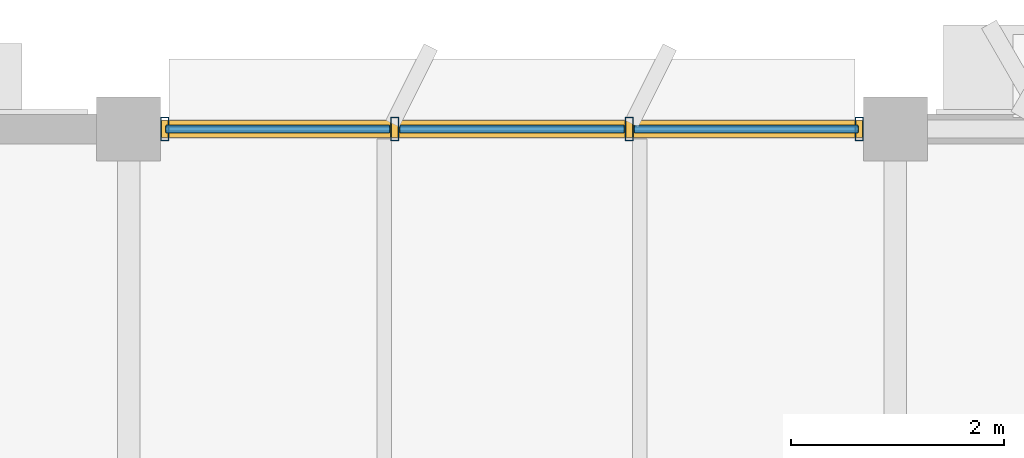
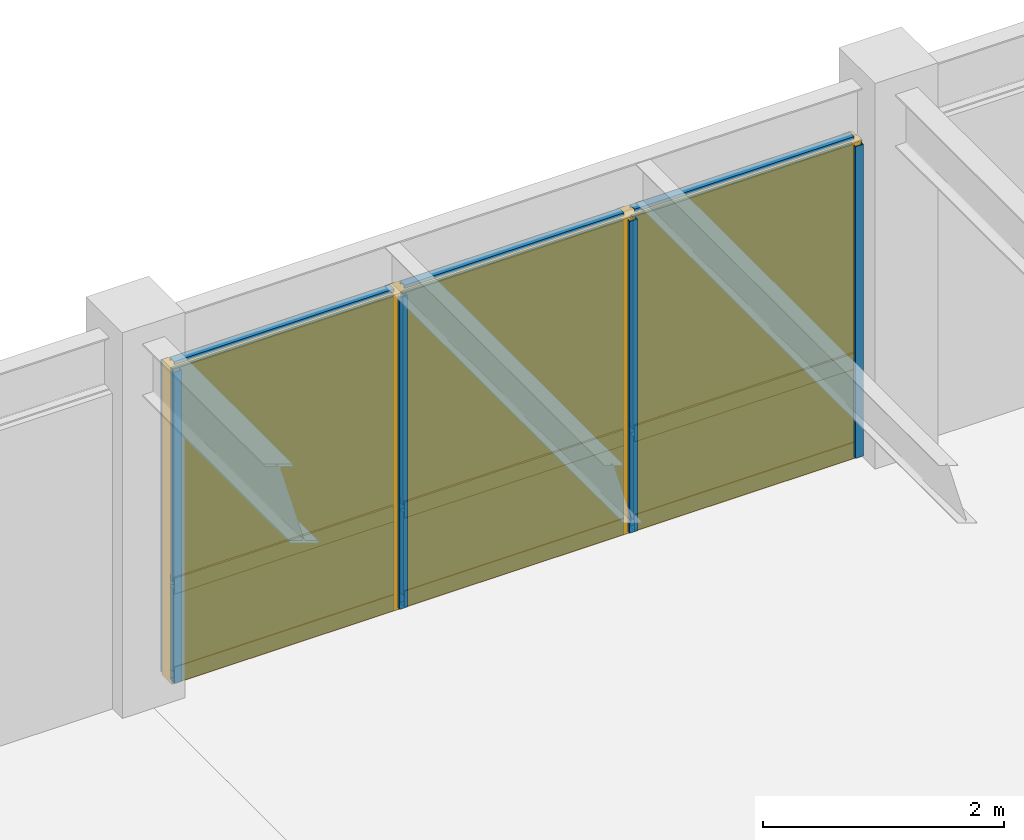
# One storey, part 29 of 35: 13 members, 6 plates, 1 curtain wall.
"""IFC4 building model written with IfcOpenShell, lengths in metres."""

from ifc_helpers import new_model, si_unit, direction, frame, origin, origin_2d, place, context, subcontext, project, spatial, rectangle, hollow_rectangle, extrude, material, layer, layer_set, material_profile, profile_set, type_object, element, aggregate, save


model = new_model("IFC4")

# Units and contexts
model_context = context("Model", 3, precision=1e-05, world=origin(), true_north=direction((0.0, 1.0)))
body_context = subcontext(model_context, "Body", "Model", "MODEL_VIEW")
ifc_project = project(units=[si_unit("LENGTHUNIT", "METRE"), si_unit("AREAUNIT", "SQUARE_METRE"), si_unit("VOLUMEUNIT", "CUBIC_METRE"), si_unit("PLANEANGLEUNIT", "RADIAN"), si_unit("MASSUNIT", "GRAM", prefix="KILO")], contexts=[model_context])

# Member
ifc_material_1 = material(Name="Anodized Aluminium 6063-T6", Category="aluminium")
ifc_material_profile_1 = material_profile(ifc_material_1, hollow_rectangle(XDim=0.074951171875, YDim=0.219970703125, WallThickness=0.0048828125, at=origin_2d()), Name="ALU 75x220x5")
ifc_profile_set_1 = profile_set([ifc_material_profile_1], Name="Anodized Aluminium 6063-T6")
member_type_1 = type_object("IfcMemberType", Name="CWM-75X180", PredefinedType="MULLION", material=ifc_profile_set_1)
site_placement = place(None, origin())
building_placement = place(site_placement, origin())
storey_placement = place(building_placement, frame((0.0, 0.0, 18.0)))
member_1_placement = place(storey_placement, frame((79.5400390625, 115.199951171875, 0.02001953125), z_axis=(0.0, 0.0, 1.0), x_axis=(1.0, 0.0, 0.0)))
member_1 = element("IfcMember", 1, at=member_1_placement, type_object=member_type_1, Name="Curtain wall mullion CW-L05-11-15-N-00", PredefinedType="MULLION", context=body_context, shape_type="SweptSolid", body=[
    extrude(hollow_rectangle(XDim=0.074951171875, YDim=0.219970703125, WallThickness=0.0048828125, at=origin_2d()), origin(), (0.0, 0.0, 1.0), 3.152099609375),
])

member_2_placement = place(storey_placement, frame((81.699951171875, 115.199951171875, 0.02001953125), z_axis=(0.0, 0.0, 1.0), x_axis=(1.0, 0.0, 0.0)))
member_2 = element("IfcMember", 2, at=member_2_placement, type_object=member_type_1, Name="Curtain wall mullion CW-L05-11-15-N-01", PredefinedType="MULLION", context=body_context, shape_type="SweptSolid", body=[
    extrude(hollow_rectangle(XDim=0.074951171875, YDim=0.219970703125, WallThickness=0.0048828125, at=origin_2d()), origin(), (0.0, 0.0, 1.0), 3.152099609375),
])

member_3_placement = place(storey_placement, frame((83.89990234375, 115.199951171875, 0.02001953125), z_axis=(0.0, 0.0, 1.0), x_axis=(1.0, 0.0, 0.0)))
member_3 = element("IfcMember", 3, at=member_3_placement, type_object=member_type_1, Name="Curtain wall mullion CW-L05-11-15-N-02", PredefinedType="MULLION", context=body_context, shape_type="SweptSolid", body=[
    extrude(hollow_rectangle(XDim=0.074951171875, YDim=0.219970703125, WallThickness=0.0048828125, at=origin_2d()), origin(), (0.0, 0.0, 1.0), 3.152099609375),
])

member_4_placement = place(storey_placement, frame((86.06005859375, 115.199951171875, 0.02001953125), z_axis=(0.0, 0.0, 1.0), x_axis=(1.0, 0.0, 0.0)))
member_4 = element("IfcMember", 4, at=member_4_placement, type_object=member_type_1, Name="Curtain wall mullion CW-L05-11-15-N-03", PredefinedType="MULLION", context=body_context, shape_type="SweptSolid", body=[
    extrude(hollow_rectangle(XDim=0.074951171875, YDim=0.219970703125, WallThickness=0.0048828125, at=origin_2d()), origin(), (0.0, 0.0, 1.0), 3.152099609375),
])

ifc_material_profile_2 = material_profile(ifc_material_1, hollow_rectangle(XDim=0.074951171875, YDim=0.159912109375, WallThickness=0.00390625, at=origin_2d()), Name="ALU 75x160x4")
ifc_profile_set_2 = profile_set([ifc_material_profile_2], Name="Anodized Aluminium 6063-T6")
member_type_2 = type_object("IfcMemberType", Name="CWT-75X150", PredefinedType="USERDEFINED", material=ifc_profile_set_2)
member_5_placement = place(storey_placement, frame((79.550048828125, 115.199951171875, 0.050048828125), z_axis=(1.0, 0.0, 0.0), x_axis=(0.0, 1.0, 0.0)))
member_5 = element("IfcMember", 5, at=member_5_placement, type_object=member_type_2, Name="Curtain wall transom CW-L05-11-15-N-1.01", ObjectType="TRANSOM", PredefinedType="USERDEFINED", context=body_context, shape_type="SweptSolid", body=[
    extrude(hollow_rectangle(XDim=0.074951171875, YDim=0.159912109375, WallThickness=0.00390625, at=origin_2d()), origin(), (0.0, 0.0, 1.0), 2.099853515625),
])

member_6_placement = place(storey_placement, frame((81.75, 115.199951171875, 0.050048828125), z_axis=(1.0, 0.0, 0.0), x_axis=(0.0, 1.0, 0.0)))
member_6 = element("IfcMember", 6, at=member_6_placement, type_object=member_type_2, Name="Curtain wall transom CW-L05-11-15-N-1.02", ObjectType="TRANSOM", PredefinedType="USERDEFINED", context=body_context, shape_type="SweptSolid", body=[
    extrude(hollow_rectangle(XDim=0.074951171875, YDim=0.159912109375, WallThickness=0.00390625, at=origin_2d()), origin(), (0.0, 0.0, 1.0), 2.10009765625),
])

member_7_placement = place(storey_placement, frame((83.949951171875, 115.199951171875, 0.050048828125), z_axis=(1.0, 0.0, 0.0), x_axis=(0.0, 1.0, 0.0)))
member_7 = element("IfcMember", 7, at=member_7_placement, type_object=member_type_2, Name="Curtain wall transom CW-L05-11-15-N-1.03", ObjectType="TRANSOM", PredefinedType="USERDEFINED", context=body_context, shape_type="SweptSolid", body=[
    extrude(hollow_rectangle(XDim=0.074951171875, YDim=0.159912109375, WallThickness=0.00390625, at=origin_2d()), origin(), (0.0, 0.0, 1.0), 2.10009765625),
])

member_8_placement = place(storey_placement, frame((79.550048828125, 115.199951171875, 0.949951171875), z_axis=(1.0, 0.0, 0.0), x_axis=(0.0, 1.0, 0.0)))
member_8 = element("IfcMember", 8, at=member_8_placement, type_object=member_type_2, Name="Curtain wall transom CW-L05-11-15-N-2.01", ObjectType="TRANSOM", PredefinedType="USERDEFINED", context=body_context, shape_type="SweptSolid", body=[
    extrude(hollow_rectangle(XDim=0.074951171875, YDim=0.159912109375, WallThickness=0.00390625, at=origin_2d()), origin(), (0.0, 0.0, 1.0), 2.099853515625),
])

member_9_placement = place(storey_placement, frame((81.75, 115.199951171875, 0.949951171875), z_axis=(1.0, 0.0, 0.0), x_axis=(0.0, 1.0, 0.0)))
member_9 = element("IfcMember", 9, at=member_9_placement, type_object=member_type_2, Name="Curtain wall transom CW-L05-11-15-N-2.02", ObjectType="TRANSOM", PredefinedType="USERDEFINED", context=body_context, shape_type="SweptSolid", body=[
    extrude(hollow_rectangle(XDim=0.074951171875, YDim=0.159912109375, WallThickness=0.00390625, at=origin_2d()), origin(), (0.0, 0.0, 1.0), 2.10009765625),
])

member_10_placement = place(storey_placement, frame((83.949951171875, 115.199951171875, 0.949951171875), z_axis=(1.0, 0.0, 0.0), x_axis=(0.0, 1.0, 0.0)))
member_10 = element("IfcMember", 10, at=member_10_placement, type_object=member_type_2, Name="Curtain wall transom CW-L05-11-15-N-2.03", ObjectType="TRANSOM", PredefinedType="USERDEFINED", context=body_context, shape_type="SweptSolid", body=[
    extrude(hollow_rectangle(XDim=0.074951171875, YDim=0.159912109375, WallThickness=0.00390625, at=origin_2d()), origin(), (0.0, 0.0, 1.0), 2.10009765625),
])

member_11_placement = place(storey_placement, frame((79.550048828125, 115.199951171875, 3.14208984375), z_axis=(1.0, 0.0, 0.0), x_axis=(0.0, 1.0, 0.0)))
member_11 = element("IfcMember", 11, at=member_11_placement, type_object=member_type_2, Name="Curtain wall transom CW-L05-11-15-N-3.01", ObjectType="TRANSOM", PredefinedType="USERDEFINED", context=body_context, shape_type="SweptSolid", body=[
    extrude(hollow_rectangle(XDim=0.074951171875, YDim=0.159912109375, WallThickness=0.00390625, at=origin_2d()), origin(), (0.0, 0.0, 1.0), 2.099853515625),
])

member_12_placement = place(storey_placement, frame((81.75, 115.199951171875, 3.14208984375), z_axis=(1.0, 0.0, 0.0), x_axis=(0.0, 1.0, 0.0)))
member_12 = element("IfcMember", 12, at=member_12_placement, type_object=member_type_2, Name="Curtain wall transom CW-L05-11-15-N-3.02", ObjectType="TRANSOM", PredefinedType="USERDEFINED", context=body_context, shape_type="SweptSolid", body=[
    extrude(hollow_rectangle(XDim=0.074951171875, YDim=0.159912109375, WallThickness=0.00390625, at=origin_2d()), origin(), (0.0, 0.0, 1.0), 2.10009765625),
])

member_13_placement = place(storey_placement, frame((83.949951171875, 115.199951171875, 3.14208984375), z_axis=(1.0, 0.0, 0.0), x_axis=(0.0, 1.0, 0.0)))
member_13 = element("IfcMember", 13, at=member_13_placement, type_object=member_type_2, Name="Curtain wall transom CW-L05-11-15-N-3.03", ObjectType="TRANSOM", PredefinedType="USERDEFINED", context=body_context, shape_type="SweptSolid", body=[
    extrude(hollow_rectangle(XDim=0.074951171875, YDim=0.159912109375, WallThickness=0.00390625, at=origin_2d()), origin(), (0.0, 0.0, 1.0), 2.10009765625),
])

# Plate
ifc_material_2 = material(Name="Acoustic Laminated Low-E Glazing", Category="glass")
ifc_layer_1 = layer(ifc_material_2, 0.0439453125)
ifc_layer_set_1 = layer_set([ifc_layer_1], Name="Acoustic Laminated Low-E Glazing")
plate_type_1 = type_object("IfcPlateType", Name="CWP-IGU-44", PredefinedType="CURTAIN_PANEL", material=ifc_layer_set_1)
plate_1_placement = place(storey_placement, frame((80.60009765625, 115.199951171875, 0.989990234375), z_axis=(0.0, 0.0, 1.0), x_axis=(1.0, 0.0, 0.0)))
plate_1 = element("IfcPlate", 14, at=plate_1_placement, type_object=plate_type_1, Name="Curtain wall vision glazing CW-L05-11-15-N-01", PredefinedType="CURTAIN_PANEL", context=body_context, shape_type="SweptSolid", body=[
    extrude(rectangle(XDim=2.110107421875, YDim=0.0400390625, at=origin_2d()), origin(), (0.0, 0.0, 1.0), 2.14208984375),
])

plate_2_placement = place(storey_placement, frame((82.800048828125, 115.199951171875, 0.989990234375), z_axis=(0.0, 0.0, 1.0), x_axis=(1.0, 0.0, 0.0)))
plate_2 = element("IfcPlate", 15, at=plate_2_placement, type_object=plate_type_1, Name="Curtain wall vision glazing CW-L05-11-15-N-02", PredefinedType="CURTAIN_PANEL", context=body_context, shape_type="SweptSolid", body=[
    extrude(rectangle(XDim=2.110107421875, YDim=0.0400390625, at=origin_2d()), origin(), (0.0, 0.0, 1.0), 2.14208984375),
])

plate_3_placement = place(storey_placement, frame((85.0, 115.199951171875, 0.989990234375), z_axis=(0.0, 0.0, 1.0), x_axis=(1.0, 0.0, 0.0)))
plate_3 = element("IfcPlate", 16, at=plate_3_placement, type_object=plate_type_1, Name="Curtain wall vision glazing CW-L05-11-15-N-03", PredefinedType="CURTAIN_PANEL", context=body_context, shape_type="SweptSolid", body=[
    extrude(rectangle(XDim=2.110107421875, YDim=0.0400390625, at=origin_2d()), origin(), (0.0, 0.0, 1.0), 2.14208984375),
])

ifc_material_3 = material(Name="Insulated Stone-Composite Spandrel", Category="masonry")
ifc_layer_2 = layer(ifc_material_3, 0.068115234375)
ifc_layer_set_2 = layer_set([ifc_layer_2], Name="Insulated Stone-Composite Spandrel")
plate_type_2 = type_object("IfcPlateType", Name="CWP-SPN-68", PredefinedType="CURTAIN_PANEL", material=ifc_layer_set_2)
plate_4_placement = place(storey_placement, frame((80.60009765625, 115.199951171875, 0.080078125), z_axis=(0.0, 0.0, 1.0), x_axis=(1.0, 0.0, 0.0)))
plate_4 = element("IfcPlate", 17, at=plate_4_placement, type_object=plate_type_2, Name="Curtain wall spandrel panel CW-L05-11-15-N-01", PredefinedType="CURTAIN_PANEL", context=body_context, shape_type="SweptSolid", body=[
    extrude(rectangle(XDim=2.110107421875, YDim=0.06005859375, at=origin_2d()), origin(), (0.0, 0.0, 1.0), 0.840087890625),
])

plate_5_placement = place(storey_placement, frame((82.800048828125, 115.199951171875, 0.080078125), z_axis=(0.0, 0.0, 1.0), x_axis=(1.0, 0.0, 0.0)))
plate_5 = element("IfcPlate", 18, at=plate_5_placement, type_object=plate_type_2, Name="Curtain wall spandrel panel CW-L05-11-15-N-02", PredefinedType="CURTAIN_PANEL", context=body_context, shape_type="SweptSolid", body=[
    extrude(rectangle(XDim=2.110107421875, YDim=0.06005859375, at=origin_2d()), origin(), (0.0, 0.0, 1.0), 0.840087890625),
])

plate_6_placement = place(storey_placement, frame((85.0, 115.199951171875, 0.080078125), z_axis=(0.0, 0.0, 1.0), x_axis=(1.0, 0.0, 0.0)))
plate_6 = element("IfcPlate", 19, at=plate_6_placement, type_object=plate_type_2, Name="Curtain wall spandrel panel CW-L05-11-15-N-03", PredefinedType="CURTAIN_PANEL", context=body_context, shape_type="SweptSolid", body=[
    extrude(rectangle(XDim=2.110107421875, YDim=0.06005859375, at=origin_2d()), origin(), (0.0, 0.0, 1.0), 0.840087890625),
])

# Site, building, storey
site = spatial("IfcSite", under=ifc_project, at=site_placement, CompositionType="ELEMENT")
building = spatial("IfcBuilding", under=site, at=building_placement, Name="Sillqori Civic Hall", CompositionType="ELEMENT")
storey = spatial("IfcBuildingStorey", under=building, at=storey_placement, Name="L05", CompositionType="ELEMENT", Elevation=18.0)

# Curtain wall
ifc_material_4 = material(Name="Anodized Aluminium Curtain Wall System", Category="aluminium")
curtain_wall_type = type_object("IfcCurtainWallType", Name="CW-AD-370", PredefinedType="NOTDEFINED", material=ifc_material_4)
curtain_wall_placement = place(storey_placement, frame((82.800048828125, 115.199951171875, 0.0), z_axis=(0.0, 0.0, 1.0), x_axis=(1.0, 0.0, 0.0)))
curtain_wall = element("IfcCurtainWall", 20, at=curtain_wall_placement, inside=storey, type_object=curtain_wall_type, Name="L05 unitised curtain wall CW-L05-11-15-N", PredefinedType="NOTDEFINED", context=body_context, shape_type="SweptSolid", body=[
    extrude(rectangle(XDim=6.60009765625, YDim=0.159912109375, at=origin_2d()), origin(), (0.0, 0.0, 1.0), 3.19189453125),
])

aggregate(curtain_wall, [member_1, member_2, member_3, member_4, member_5, member_6, member_7, member_8, member_9, member_10, member_11, member_12, member_13, plate_4, plate_1, plate_5, plate_2, plate_6, plate_3])

save(model, "model.ifc")
